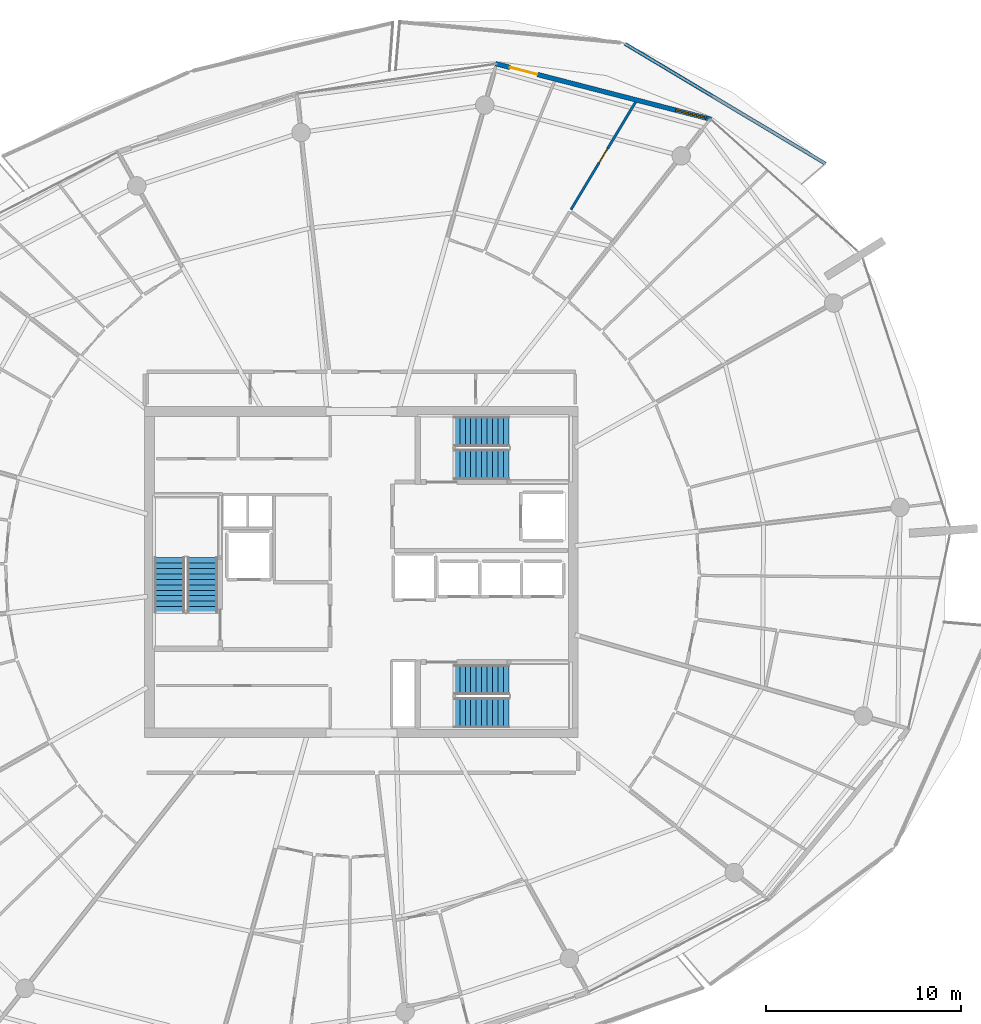
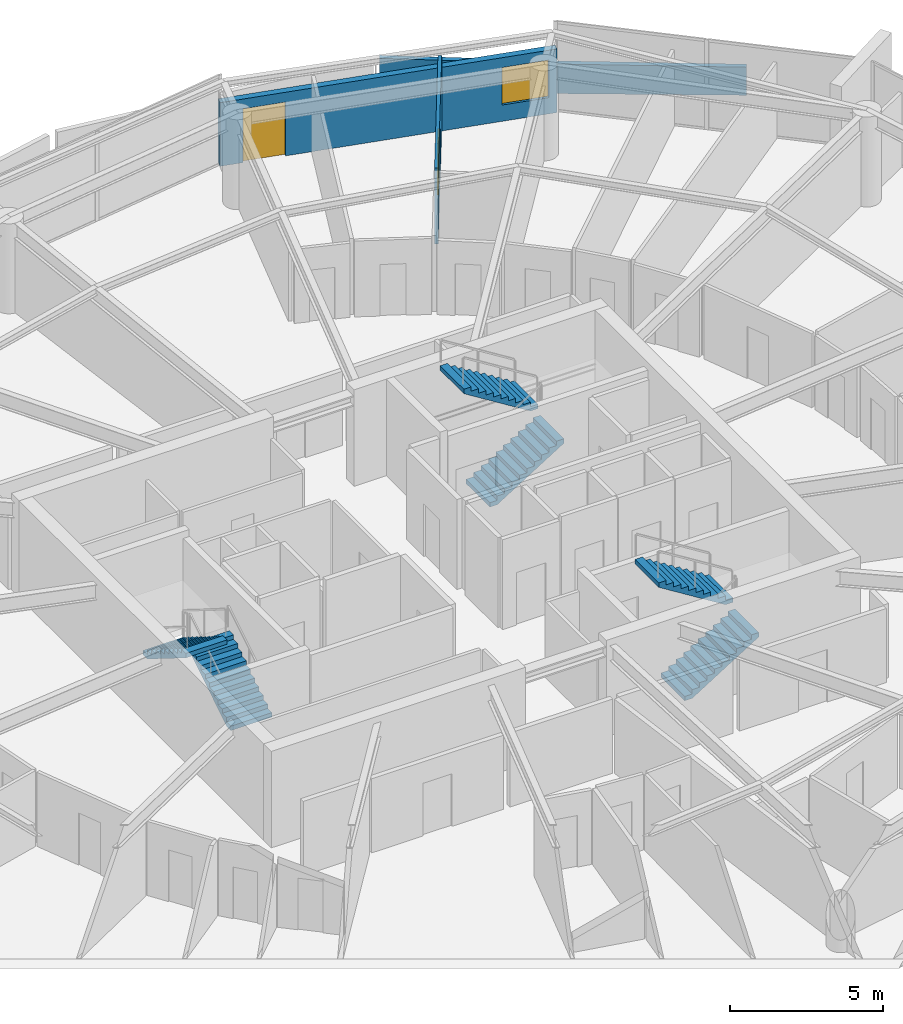
# One storey, part 23 of 30: 6 stair flights, 3 walls, 2 doors, 1 window, 3 openings, 3 elements without a shape of their own.
"""IFC4 building model written with IfcOpenShell, lengths in metres."""

from ifc_helpers import new_model, si_unit, direction, frame, frame_2d, origin, place, context, subcontext, project, spatial, polyline, rectangle, outline, extrude, material, layer, layer_set, type_object, element, fill, aggregate, save


model = new_model("IFC4")

# Units and contexts
model_context = context("Model", 3, precision=1e-05, world=origin(), true_north=direction((0.0, 1.0)))
body_context = subcontext(model_context, "Body", "Model", "MODEL_VIEW")
ifc_project = project(units=[si_unit("LENGTHUNIT", "METRE"), si_unit("AREAUNIT", "SQUARE_METRE"), si_unit("VOLUMEUNIT", "CUBIC_METRE"), si_unit("PLANEANGLEUNIT", "RADIAN"), si_unit("MASSUNIT", "GRAM", prefix="KILO")], contexts=[model_context])

# Site, building, storey
site_placement = place(None, origin())
site = spatial("IfcSite", under=ifc_project, at=site_placement, CompositionType="ELEMENT")
building_placement = place(site_placement, origin())
building = spatial("IfcBuilding", under=site, at=building_placement, Name="Kazma Halo Residences", CompositionType="ELEMENT")
storey_placement = place(building_placement, frame((0.0, 0.0, 279.050048828125)))
storey = spatial("IfcBuildingStorey", under=building, at=storey_placement, Name="L70", CompositionType="ELEMENT", Elevation=279.050048828125)

# Wall
ifc_material_1 = material(Name="White Concrete C50/60 Balustrade", Category="concrete")
ifc_layer_1 = layer(ifc_material_1, 0.179931640625)
ifc_layer_set_1 = layer_set([ifc_layer_1], Name="White Concrete C50/60 Balustrade")
wall_type_1 = type_object("IfcWallType", Name="WL-BAL-WAVE-180", PredefinedType="PARAPET", material=ifc_layer_set_1)
wall_1_placement = place(storey_placement, frame((72.251220703125, 62.969970703125, 0.0), z_axis=(0.0, 0.0, 1.0), x_axis=(-0.858273121585, 0.513193188541, 0.0)))
element("IfcWall", 1, at=wall_1_placement, inside=storey, type_object=wall_type_1, Name="L70 white wave balustrade wall NE.1", PredefinedType="PARAPET", context=body_context, shape_type="SweptSolid", body=[
    extrude(outline(polyline([(0.0, 0.0), (11.99560546875, 0.0), (11.995361328125, 1.347900390625), (5.997802734375, 1.181884765625), (0.0, 1.119873046875), (0.0, 0.0)])), frame((0.0, 0.08984375, 0.0), z_axis=(0.0, -1.0, 0.0), x_axis=(1.0, 0.0, 0.0)), (0.0, 0.0, 1.0), 0.179931640625),
])

# Wall, openings, door, window
ifc_material_2 = material(Name="Insulated Pale-Metal Composite Wall")
ifc_layer_2 = layer(ifc_material_2, 0.239990234375)
ifc_layer_set_2 = layer_set([ifc_layer_2], Name="Insulated Pale-Metal Composite Wall")
wall_type_2 = type_object("IfcWallType", Name="WL-EXT-HOST-240", PredefinedType="SOLIDWALL", material=ifc_layer_set_2)
wall_2_placement = place(storey_placement, frame((66.386474609375, 65.2490234375, 0.0), z_axis=(0.0, 0.0, 1.0), x_axis=(-0.968343758421, 0.249620442927, 0.0)))
wall_2 = element("IfcWall", 2, at=wall_2_placement, inside=storey, type_object=wall_type_2, Name="L70 exterior terrace-access wall B02", PredefinedType="SOLIDWALL", context=body_context, shape_type="SweptSolid", body=[
    extrude(rectangle(XDim=11.438232421875, YDim=0.239990234375, at=frame_2d((5.71923828125, 0.0))), origin(), (0.0, 0.0, 1.0), 2.5400390625),
])
opening_1_placement = place(wall_2_placement, frame((9.21826171875, 0.0, 0.0)))
opening_1 = element("IfcOpeningElement", 3, at=opening_1_placement, cuts=wall_2, Name="Opening DTR-1600", PredefinedType="OPENING", context=body_context, shape_type="SweptSolid", body=[
    extrude(rectangle(XDim=1.449951171875, YDim=2.14990234375, at=frame_2d((0.72509765625, 1.074951171875))), frame((0.0, 0.1298828125, 0.0), z_axis=(0.0, -1.0, 0.0), x_axis=(1.0, 0.0, 0.0)), (0.0, 0.0, 1.0), 0.260009765625),
])
opening_2_placement = place(wall_2_placement, frame((0.280029296875, 0.0, 0.64990234375)))
opening_2 = element("IfcOpeningElement", 4, at=opening_2_placement, cuts=wall_2, Name="Opening W-1800", PredefinedType="OPENING", context=body_context, shape_type="SweptSolid", body=[
    extrude(rectangle(XDim=1.60009765625, YDim=1.5, at=frame_2d((0.800048828125, 0.75))), frame((0.0, 0.1298828125, 0.0), z_axis=(0.0, -1.0, 0.0), x_axis=(1.0, 0.0, 0.0)), (0.0, 0.0, 1.0), 0.260009765625),
])
ifc_material_3 = material(Name="Aluminium AW-6063 T6 Double-Glazed Terrace Door", Category="aluminium")
door_type_1 = type_object("IfcDoorType", Name="DR-EXT-TERR-1600", OperationType="NOTDEFINED", PredefinedType="DOOR", material=ifc_material_3)
door_1_placement = place(opening_1_placement, origin())
door_1 = element("IfcDoor", 5, at=door_1_placement, inside=storey, type_object=door_type_1, Name="L70 B02 balcony terrace door", OperationType="DOUBLE_DOOR_SLIDING", OverallHeight=2.14990234375, OverallWidth=1.449951171875, PredefinedType="DOOR", context=body_context, shape_type="SweptSolid", body=[
    extrude(rectangle(XDim=1.449951171875, YDim=2.14990234375, at=frame_2d((0.72509765625, 1.074951171875))), frame((0.0, 0.02490234375, 0.0), z_axis=(0.0, -1.0, 0.0), x_axis=(1.0, 0.0, 0.0)), (0.0, 0.0, 1.0), 0.050048828125),
])
fill(opening_1, door_1)
ifc_material_4 = material(Name="Clear Triple-Silver Low-E Glass in Aluminium AW-6063 T6 Frame", Category="aluminium")
window_type = type_object("IfcWindowType", Name="WIN-RES-1800", PartitioningType="DOUBLE_PANEL_VERTICAL", PredefinedType="WINDOW", material=ifc_material_4)
window_placement = place(opening_2_placement, origin())
window = element("IfcWindow", 6, at=window_placement, inside=storey, type_object=window_type, Name="L70 B02 apartment window", OverallHeight=1.5, OverallWidth=1.60009765625, PartitioningType="SINGLE_PANEL", PredefinedType="WINDOW", context=body_context, shape_type="SweptSolid", body=[
    extrude(rectangle(XDim=1.60009765625, YDim=1.5, at=frame_2d((0.800048828125, 0.75))), frame((0.0, 0.030029296875, 0.0), z_axis=(0.0, -1.0, 0.0), x_axis=(1.0, 0.0, 0.0)), (0.0, 0.0, 1.0), 0.06005859375),
])
fill(opening_2, window)

# Wall, opening, door
ifc_material_5 = material(Name="Gypsum Plasterboard Partition")
ifc_layer_3 = layer(ifc_material_5, 0.125)
ifc_layer_set_3 = layer_set([ifc_layer_3], Name="Gypsum Plasterboard Partition")
wall_type_3 = type_object("IfcWallType", Name="WL-PART-125", PredefinedType="PARTITIONING", material=ifc_layer_set_3)
wall_3_placement = place(storey_placement, frame((59.186279296875, 60.61328125, 0.0), z_axis=(0.0, 0.0, 1.0), x_axis=(0.515109537537, 0.857124357569, 0.0)))
wall_3 = element("IfcWall", 7, at=wall_3_placement, inside=storey, type_object=wall_type_3, Name="L70 Apartment 4 Inner Walk-In Wardrobe partition wall", PredefinedType="PARTITIONING", context=body_context, shape_type="SweptSolid", body=[
    extrude(rectangle(XDim=6.43310546875, YDim=0.125, at=frame_2d((3.216552734375, 0.0))), origin(), (0.0, 0.0, 1.0), 3.030029296875),
])
opening_3_placement = place(wall_3_placement, frame((2.79150390625, 0.0, 0.0)))
opening_3 = element("IfcOpeningElement", 8, at=opening_3_placement, cuts=wall_3, Name="Opening DB-900", PredefinedType="OPENING", context=body_context, shape_type="SweptSolid", body=[
    extrude(rectangle(XDim=0.85009765625, YDim=2.06005859375, at=frame_2d((0.425048828125, 1.030029296875))), frame((0.0, 0.072509765625, 0.0), z_axis=(0.0, -1.0, 0.0), x_axis=(1.0, 0.0, 0.0)), (0.0, 0.0, 1.0), 0.14501953125),
])
ifc_material_6 = material(Name="Moisture-Sealed Timber Leaf", Category="wood")
door_type_2 = type_object("IfcDoorType", Name="DR-BTH-900", OperationType="NOTDEFINED", PredefinedType="DOOR", material=ifc_material_6)
door_2_placement = place(opening_3_placement, origin())
door_2 = element("IfcDoor", 9, at=door_2_placement, inside=storey, type_object=door_type_2, Name="L70 Apartment 4 Inner Walk-In Wardrobe door", OperationType="SINGLE_SWING_LEFT", OverallHeight=2.06005859375, OverallWidth=0.85009765625, PredefinedType="DOOR", context=body_context, shape_type="SweptSolid", body=[
    extrude(rectangle(XDim=0.85009765625, YDim=2.06005859375, at=frame_2d((0.425048828125, 1.030029296875))), frame((0.0, 0.02490234375, 0.0), z_axis=(0.0, -1.0, 0.0), x_axis=(1.0, 0.0, 0.0)), (0.0, 0.0, 1.0), 0.050048828125),
])
fill(opening_3, door_2)

# Stair, stair flights
ifc_material_7 = material(Name="Concrete C50/60", Category="concrete")
stair_type = type_object("IfcStairType", Name="STR-RES2", PredefinedType="HALF_TURN_STAIR", material=ifc_material_7)
stair_1_placement = place(storey_placement, origin())
stair_1 = element("IfcStair", 10, at=stair_1_placement, inside=storey, type_object=stair_type, Name="L70 Core exit stair ST-01", PredefinedType="HALF_TURN_STAIR")
stair_flight_type = type_object("IfcStairFlightType", Name="STR-RES2-FLT", PredefinedType="STRAIGHT", material=ifc_material_7)
stair_flight_1_placement = place(storey_placement, frame((40.27490234375, 39.949951171875, 0.0), z_axis=(0.0, 0.0, 1.0), x_axis=(0.0, 1.0, 0.0)))
stair_flight_1 = element("IfcStairFlight", 11, at=stair_flight_1_placement, type_object=stair_flight_type, Name="ST-01 flight 1", NumberOfRisers=11, NumberOfTreads=10, PredefinedType="STRAIGHT", RiserHeight=0.175, TreadLength=0.28, context=body_context, shape_type="SweptSolid", body=[
    extrude(outline(polyline([(0.0, 0.0), (0.0, 0.175048828125), (0.280029296875, 0.175048828125), (0.280029296875, 0.35009765625), (0.56005859375, 0.35009765625), (0.56005859375, 0.52490234375), (0.840087890625, 0.52490234375), (0.840087890625, 0.699951171875), (1.1201171875, 0.699951171875), (1.1201171875, 0.875), (1.39990234375, 0.875), (1.39990234375, 1.050048828125), (1.679931640625, 1.050048828125), (1.679931640625, 1.22509765625), (1.9599609375, 1.22509765625), (1.9599609375, 1.39990234375), (2.239990234375, 1.39990234375), (2.239990234375, 1.574951171875), (2.52001953125, 1.574951171875), (2.52001953125, 1.75), (2.800048828125, 1.75), (2.800048828125, 1.925048828125), (2.800048828125, 1.5732421875), (0.28271484375, 0.0), (0.0, 0.0)])), frame((0.0, 0.77490234375, 0.0), z_axis=(0.0, -1.0, 0.0), x_axis=(1.0, 0.0, 0.0)), (0.0, 0.0, 1.0), 1.550048828125),
])
stair_flight_2_placement = place(storey_placement, frame((38.574951171875, 42.75, 1.925048828125), z_axis=(0.0, 0.0, 1.0), x_axis=(0.0, -1.0, 0.0)))
stair_flight_2 = element("IfcStairFlight", 12, at=stair_flight_2_placement, type_object=stair_flight_type, Name="ST-01 flight 2", NumberOfRisers=11, NumberOfTreads=10, PredefinedType="STRAIGHT", RiserHeight=0.175, TreadLength=0.28, context=body_context, shape_type="SweptSolid", body=[
    extrude(outline(polyline([(0.0, 0.0), (0.0, 0.175048828125), (0.280029296875, 0.175048828125), (0.280029296875, 0.35009765625), (0.56005859375, 0.35009765625), (0.56005859375, 0.52490234375), (0.840087890625, 0.52490234375), (0.840087890625, 0.699951171875), (1.1201171875, 0.699951171875), (1.1201171875, 0.875), (1.39990234375, 0.875), (1.39990234375, 1.050048828125), (1.679931640625, 1.050048828125), (1.679931640625, 1.22509765625), (1.9599609375, 1.22509765625), (1.9599609375, 1.39990234375), (2.239990234375, 1.39990234375), (2.239990234375, 1.574951171875), (2.52001953125, 1.574951171875), (2.52001953125, 1.75), (2.800048828125, 1.75), (2.800048828125, 1.925048828125), (2.800048828125, 1.5732421875), (0.28271484375, 0.0), (0.0, 0.0)])), frame((0.0, 0.77490234375, 0.0), z_axis=(0.0, -1.0, 0.0), x_axis=(1.0, 0.0, 0.0)), (0.0, 0.0, 1.0), 1.550048828125),
])
aggregate(stair_1, [stair_flight_1, stair_flight_2])

stair_2_placement = place(storey_placement, origin())
stair_2 = element("IfcStair", 13, at=stair_2_placement, inside=storey, type_object=stair_type, Name="L70 Core exit stair ST-02", PredefinedType="HALF_TURN_STAIR")
stair_flight_3_placement = place(storey_placement, frame((53.199951171875, 47.52490234375, 0.0), z_axis=(0.0, 0.0, 1.0), x_axis=(1.0, 0.0, 0.0)))
stair_flight_3 = element("IfcStairFlight", 14, at=stair_flight_3_placement, type_object=stair_flight_type, Name="ST-02 flight 1", NumberOfRisers=11, NumberOfTreads=10, PredefinedType="STRAIGHT", RiserHeight=0.175, TreadLength=0.28, context=body_context, shape_type="SweptSolid", body=[
    extrude(outline(polyline([(0.0, 0.0), (0.0, 0.175048828125), (0.280029296875, 0.175048828125), (0.280029296875, 0.35009765625), (0.56005859375, 0.35009765625), (0.56005859375, 0.52490234375), (0.840087890625, 0.52490234375), (0.840087890625, 0.699951171875), (1.1201171875, 0.699951171875), (1.1201171875, 0.875), (1.39990234375, 0.875), (1.39990234375, 1.050048828125), (1.679931640625, 1.050048828125), (1.679931640625, 1.22509765625), (1.9599609375, 1.22509765625), (1.9599609375, 1.39990234375), (2.239990234375, 1.39990234375), (2.239990234375, 1.574951171875), (2.52001953125, 1.574951171875), (2.52001953125, 1.75), (2.800048828125, 1.75), (2.800048828125, 1.925048828125), (2.800048828125, 1.5732421875), (0.28271484375, 0.0), (0.0, 0.0)])), frame((0.0, 0.77490234375, 0.0), z_axis=(0.0, -1.0, 0.0), x_axis=(1.0, 0.0, 0.0)), (0.0, 0.0, 1.0), 1.550048828125),
])
stair_flight_4_placement = place(storey_placement, frame((56.0, 49.22509765625, 1.925048828125), z_axis=(0.0, 0.0, 1.0), x_axis=(-1.0, 0.0, 0.0)))
stair_flight_4 = element("IfcStairFlight", 15, at=stair_flight_4_placement, type_object=stair_flight_type, Name="ST-02 flight 2", NumberOfRisers=11, NumberOfTreads=10, PredefinedType="STRAIGHT", RiserHeight=0.175, TreadLength=0.28, context=body_context, shape_type="SweptSolid", body=[
    extrude(outline(polyline([(0.0, 0.0), (0.0, 0.175048828125), (0.280029296875, 0.175048828125), (0.280029296875, 0.35009765625), (0.56005859375, 0.35009765625), (0.56005859375, 0.52490234375), (0.840087890625, 0.52490234375), (0.840087890625, 0.699951171875), (1.1201171875, 0.699951171875), (1.1201171875, 0.875), (1.39990234375, 0.875), (1.39990234375, 1.050048828125), (1.679931640625, 1.050048828125), (1.679931640625, 1.22509765625), (1.9599609375, 1.22509765625), (1.9599609375, 1.39990234375), (2.239990234375, 1.39990234375), (2.239990234375, 1.574951171875), (2.52001953125, 1.574951171875), (2.52001953125, 1.75), (2.800048828125, 1.75), (2.800048828125, 1.925048828125), (2.800048828125, 1.5732421875), (0.28271484375, 0.0), (0.0, 0.0)])), frame((0.0, 0.77490234375, 0.0), z_axis=(0.0, -1.0, 0.0), x_axis=(1.0, 0.0, 0.0)), (0.0, 0.0, 1.0), 1.550048828125),
])
aggregate(stair_2, [stair_flight_3, stair_flight_4])

stair_3_placement = place(storey_placement, origin())
stair_3 = element("IfcStair", 16, at=stair_3_placement, inside=storey, type_object=stair_type, Name="L70 Core exit stair ST-03", PredefinedType="HALF_TURN_STAIR")
stair_flight_5_placement = place(storey_placement, frame((53.199951171875, 34.77490234375, 0.0), z_axis=(0.0, 0.0, 1.0), x_axis=(1.0, 0.0, 0.0)))
stair_flight_5 = element("IfcStairFlight", 17, at=stair_flight_5_placement, type_object=stair_flight_type, Name="ST-03 flight 1", NumberOfRisers=11, NumberOfTreads=10, PredefinedType="STRAIGHT", RiserHeight=0.175, TreadLength=0.28, context=body_context, shape_type="SweptSolid", body=[
    extrude(outline(polyline([(0.0, 0.0), (0.0, 0.175048828125), (0.280029296875, 0.175048828125), (0.280029296875, 0.35009765625), (0.56005859375, 0.35009765625), (0.56005859375, 0.52490234375), (0.840087890625, 0.52490234375), (0.840087890625, 0.699951171875), (1.1201171875, 0.699951171875), (1.1201171875, 0.875), (1.39990234375, 0.875), (1.39990234375, 1.050048828125), (1.679931640625, 1.050048828125), (1.679931640625, 1.22509765625), (1.9599609375, 1.22509765625), (1.9599609375, 1.39990234375), (2.239990234375, 1.39990234375), (2.239990234375, 1.574951171875), (2.52001953125, 1.574951171875), (2.52001953125, 1.75), (2.800048828125, 1.75), (2.800048828125, 1.925048828125), (2.800048828125, 1.5732421875), (0.28271484375, 0.0), (0.0, 0.0)])), frame((0.0, 0.77490234375, 0.0), z_axis=(0.0, -1.0, 0.0), x_axis=(1.0, 0.0, 0.0)), (0.0, 0.0, 1.0), 1.550048828125),
])
stair_flight_6_placement = place(storey_placement, frame((56.0, 36.47509765625, 1.925048828125), z_axis=(0.0, 0.0, 1.0), x_axis=(-1.0, 0.0, 0.0)))
stair_flight_6 = element("IfcStairFlight", 18, at=stair_flight_6_placement, type_object=stair_flight_type, Name="ST-03 flight 2", NumberOfRisers=11, NumberOfTreads=10, PredefinedType="STRAIGHT", RiserHeight=0.175, TreadLength=0.28, context=body_context, shape_type="SweptSolid", body=[
    extrude(outline(polyline([(0.0, 0.0), (0.0, 0.175048828125), (0.280029296875, 0.175048828125), (0.280029296875, 0.35009765625), (0.56005859375, 0.35009765625), (0.56005859375, 0.52490234375), (0.840087890625, 0.52490234375), (0.840087890625, 0.699951171875), (1.1201171875, 0.699951171875), (1.1201171875, 0.875), (1.39990234375, 0.875), (1.39990234375, 1.050048828125), (1.679931640625, 1.050048828125), (1.679931640625, 1.22509765625), (1.9599609375, 1.22509765625), (1.9599609375, 1.39990234375), (2.239990234375, 1.39990234375), (2.239990234375, 1.574951171875), (2.52001953125, 1.574951171875), (2.52001953125, 1.75), (2.800048828125, 1.75), (2.800048828125, 1.925048828125), (2.800048828125, 1.5732421875), (0.28271484375, 0.0), (0.0, 0.0)])), frame((0.0, 0.77490234375, 0.0), z_axis=(0.0, -1.0, 0.0), x_axis=(1.0, 0.0, 0.0)), (0.0, 0.0, 1.0), 1.550048828125),
])
aggregate(stair_3, [stair_flight_5, stair_flight_6])

save(model, "model.ifc")
